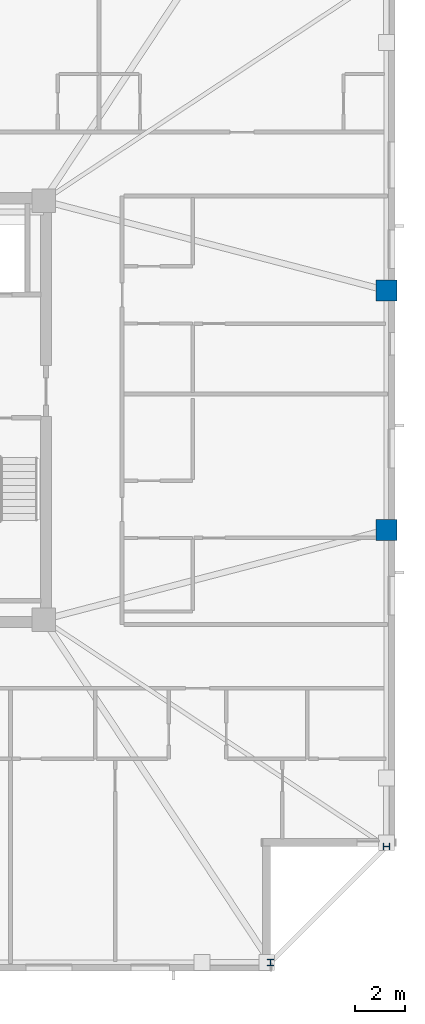
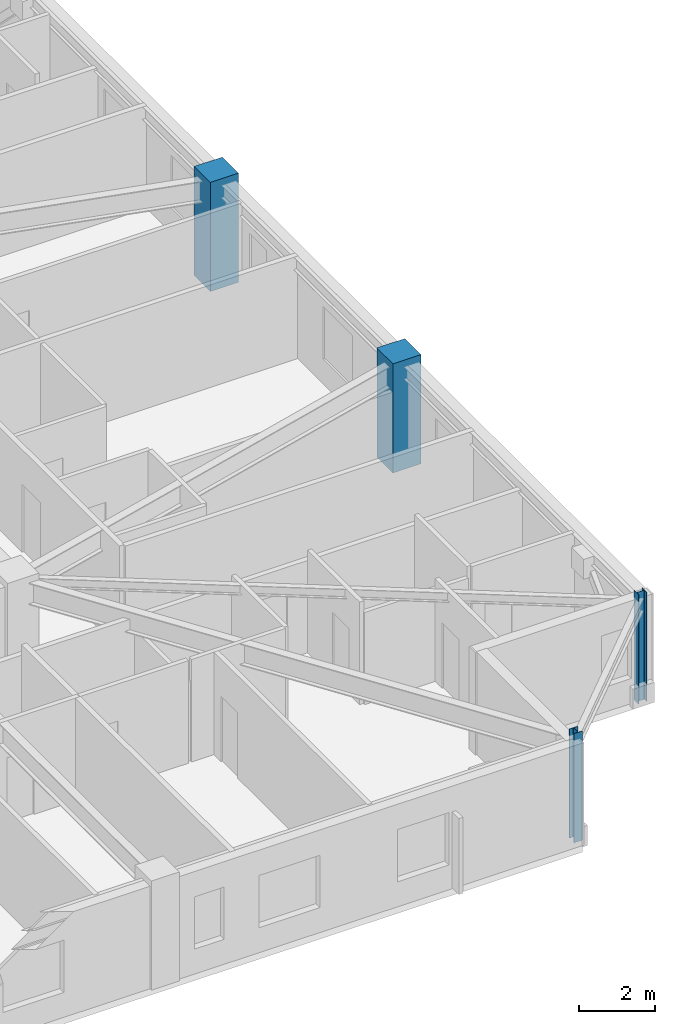
# One storey, part 3 of 17: 4 columns.
"""IFC4 building model written with IfcOpenShell, lengths in metres."""

from ifc_helpers import new_model, si_unit, direction, frame, origin, origin_2d, place, context, subcontext, project, spatial, rectangle, i_section, extrude, material, material_profile, profile_set, type_object, element, save


model = new_model("IFC4")

# Units and contexts
model_context = context("Model", 3, precision=1e-05, world=origin(), true_north=direction((0.0, 1.0)))
body_context = subcontext(model_context, "Body", "Model", "MODEL_VIEW")
ifc_project = project(units=[si_unit("LENGTHUNIT", "METRE"), si_unit("AREAUNIT", "SQUARE_METRE"), si_unit("VOLUMEUNIT", "CUBIC_METRE"), si_unit("PLANEANGLEUNIT", "RADIAN"), si_unit("MASSUNIT", "GRAM", prefix="KILO")], contexts=[model_context])

# Site, building, storey
site_placement = place(None, origin())
site = spatial("IfcSite", under=ifc_project, at=site_placement, CompositionType="ELEMENT")
building_placement = place(site_placement, origin())
building = spatial("IfcBuilding", under=site, at=building_placement, Name="Cairnveth Concourse Tower", CompositionType="ELEMENT")
storey_placement = place(building_placement, frame((0.0, 0.0, 262.0)))
storey = spatial("IfcBuildingStorey", under=building, at=storey_placement, Name="L72", CompositionType="ELEMENT", Elevation=262.0)

# Columns
ifc_material_1 = material(Name="Concrete N65 (65 MPa)", Category="concrete")
ifc_material_profile_1 = material_profile(ifc_material_1, rectangle(XDim=0.85009765625, YDim=0.85009765625, at=origin_2d()), Name="RC-COL-850x850")
ifc_profile_set_1 = profile_set([ifc_material_profile_1], Name="Concrete N65 (65 MPa)")
column_type_1 = type_object("IfcColumnType", Name="PERIMETER PIER COLUMN 850X850", PredefinedType="COLUMN", material=ifc_profile_set_1)
for number, where, z_axis, x_axis, name in (
    (1, (74.14990234375, 34.199951171875, 0.0), (0.0, 0.0, 1.0), (0.0, 1.0, 0.0), "Column P-E2 L72"),
    (2, (74.14990234375, 43.800048828125, 0.0), (0.0, 0.0, 1.0), (0.0, 1.0, 0.0), "Column P-E3 L72"),
):
    element("IfcColumn", number, at=place(storey_placement, frame(where, z_axis=z_axis, x_axis=x_axis)), inside=storey, type_object=column_type_1, Name=name, PredefinedType="COLUMN", context=body_context, shape_type="SweptSolid", body=[
        extrude(rectangle(XDim=0.85009765625, YDim=0.85009765625, at=origin_2d()), origin(), (0.0, 0.0, 1.0), 3.5),
    ])
ifc_material_2 = material(Name="Steel Grade 350", Category="steel")
ifc_material_profile_2 = material_profile(ifc_material_2, i_section(OverallWidth=0.256103515625, OverallDepth=0.260009765625, WebThickness=0.010498046875, FlangeThickness=0.017333984375, FilletRadius=0.012939453125, at=origin_2d()), Name="250UC89.5")
ifc_profile_set_2 = profile_set([ifc_material_profile_2], Name="Steel Grade 350")
column_type_2 = type_object("IfcColumnType", Name="UNIVERSAL STEEL COLUMN 250UC89.5", PredefinedType="COLUMN", material=ifc_profile_set_2)
for number, where, z_axis, x_axis, name in (
    (3, (69.5, 16.85009765625, 0.0), (0.0, 0.0, 1.0), (1.0, 0.0, 0.0), "Column P-S4 L72"),
    (4, (74.14990234375, 21.5, 0.0), (0.0, 0.0, 1.0), (0.0, 1.0, 0.0), "Column P-E1 L72"),
):
    element("IfcColumn", number, at=place(storey_placement, frame(where, z_axis=z_axis, x_axis=x_axis)), inside=storey, type_object=column_type_2, Name=name, PredefinedType="COLUMN", context=body_context, shape_type="SweptSolid", body=[
        extrude(i_section(OverallWidth=0.256103515625, OverallDepth=0.260009765625, WebThickness=0.010498046875, FlangeThickness=0.017333984375, FilletRadius=0.012939453125, at=origin_2d()), origin(), (0.0, 0.0, 1.0), 3.5),
    ])

save(model, "model.ifc")
